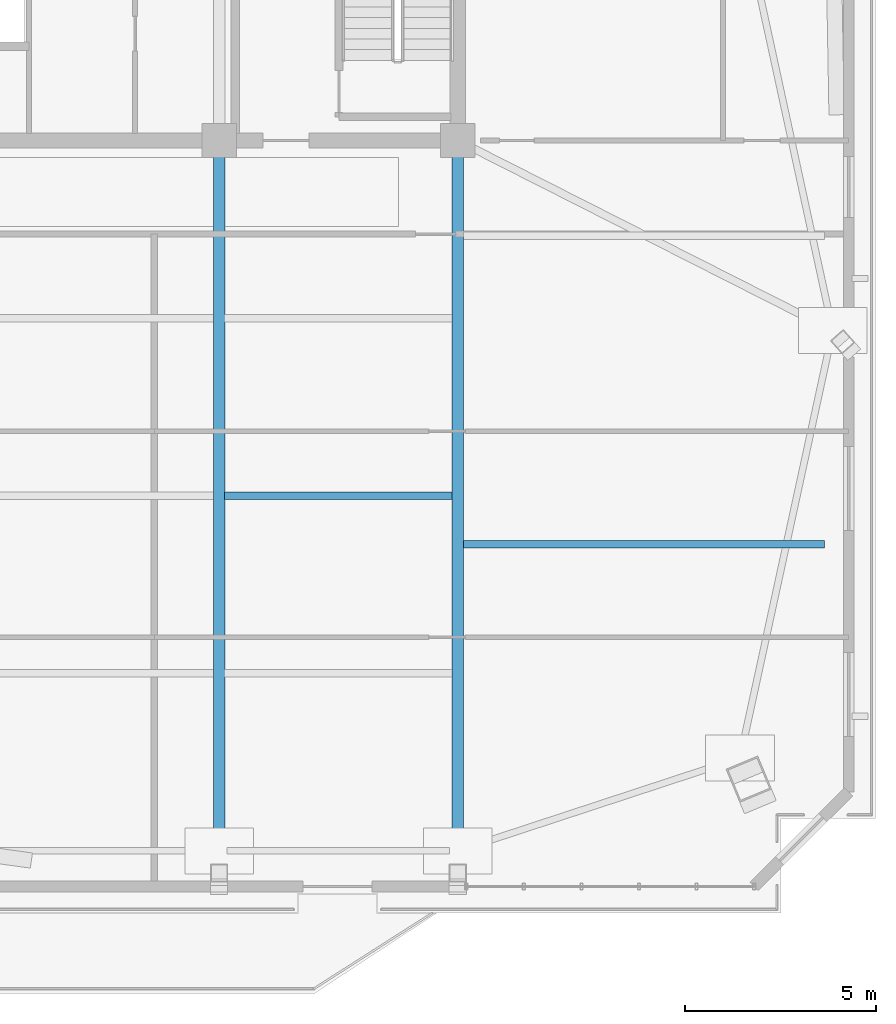
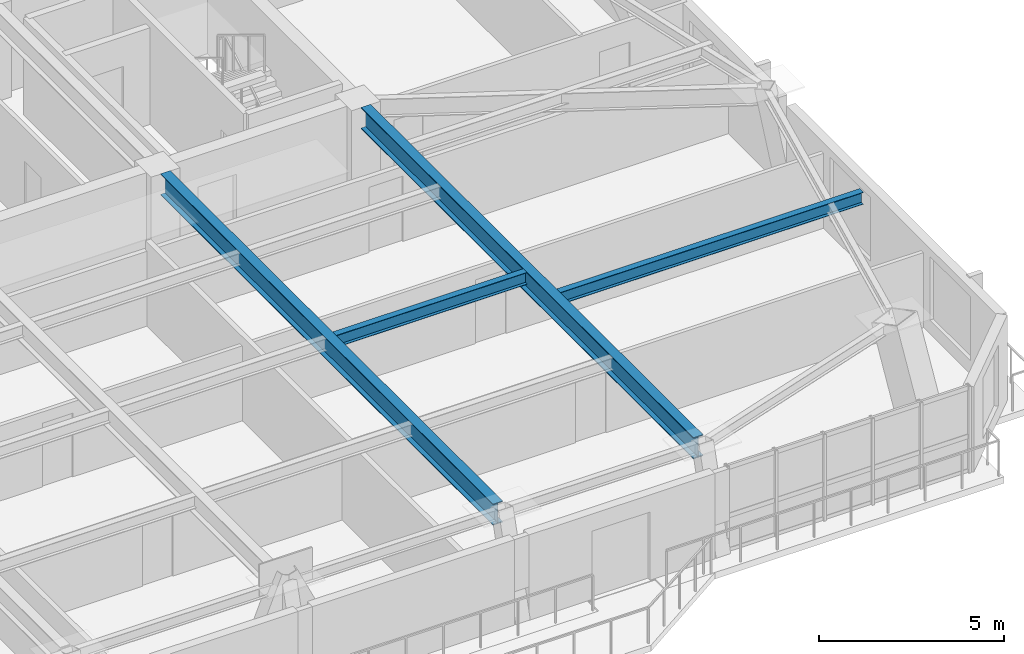
# One storey, part 5 of 15: 4 beams.
"""IFC4 building model written with IfcOpenShell, lengths in metres."""

from ifc_helpers import new_model, si_unit, direction, frame, origin, origin_2d, place, context, subcontext, project, spatial, i_section, extrude, source, transform, mapped, material, material_profile, profile_set, type_object, element, save


model = new_model("IFC4")

# Units and contexts
model_context = context("Model", 3, precision=1e-05, world=origin(), true_north=direction((0.0, 1.0)))
body_context = subcontext(model_context, "Body", "Model", "MODEL_VIEW")
ifc_project = project(units=[si_unit("LENGTHUNIT", "METRE"), si_unit("AREAUNIT", "SQUARE_METRE"), si_unit("VOLUMEUNIT", "CUBIC_METRE"), si_unit("PLANEANGLEUNIT", "RADIAN"), si_unit("MASSUNIT", "GRAM", prefix="KILO")], contexts=[model_context])

# Site, building, storey
site_placement = place(None, origin())
site = spatial("IfcSite", under=ifc_project, at=site_placement, CompositionType="ELEMENT")
building_placement = place(site_placement, origin())
building = spatial("IfcBuilding", under=site, at=building_placement, Name="Giltprow Tower", CompositionType="ELEMENT")
storey_placement = place(building_placement, frame((0.0, 0.0, 290.39990234375)))
storey = spatial("IfcBuildingStorey", under=building, at=storey_placement, Name="L74", CompositionType="ELEMENT", Elevation=290.39990234375)

# Beams
ifc_material = material(Name="Structural steel Q355B", Category="steel")
ifc_material_profile_1 = material_profile(ifc_material, i_section(OverallWidth=0.199951171875, OverallDepth=0.39990234375, WebThickness=0.008056640625, FlangeThickness=0.012939453125, at=origin_2d()), Name="HN 400x200x8x13")
ifc_profile_set_1 = profile_set([ifc_material_profile_1], Name="Structural steel Q355B")
beam_type_1 = type_object("IfcBeamType", Name="BM-JOIST-HN400", PredefinedType="JOIST", material=ifc_profile_set_1)
shared_shape_1 = source(origin(), body_context, "Body", "SweptSolid", [
    extrude(i_section(OverallWidth=0.199951171875, OverallDepth=0.39990234375, WebThickness=0.008056640625, FlangeThickness=0.012939453125, at=origin_2d()), origin(), (0.0, 0.0, 1.0), 5.9599609375),
])
beam_1_placement = place(storey_placement, frame((44.445068359375, 28.14599609375, 2.985107421875), z_axis=(1.0, 0.0, 0.0), x_axis=(0.0, 1.0, 0.0)))
element("IfcBeam", 1, at=beam_1_placement, inside=storey, type_object=beam_type_1, Name="L74 Composite Floor Joist 2-4", PredefinedType="JOIST", context=body_context, shape_type="MappedRepresentation", body=[
    mapped(shared_shape_1, transform((0.0, 0.0, 0.0), x_axis=(1.0, 0.0, 0.0), y_axis=(0.0, 1.0, 0.0), z_axis=(0.0, 0.0, 1.0), scale=1.0)),
])
ifc_material_profile_2 = material_profile(ifc_material, i_section(OverallWidth=0.300048828125, OverallDepth=0.699951171875, WebThickness=0.012939453125, FlangeThickness=0.02392578125, at=origin_2d()), Name="HN 700x300x13x24")
ifc_profile_set_2 = profile_set([ifc_material_profile_2], Name="Structural steel Q355B")
beam_type_2 = type_object("IfcBeamType", Name="BM-GIRD-HN700", PredefinedType="BEAM", material=ifc_profile_set_2)
shared_shape_2 = source(origin(), body_context, "Body", "SweptSolid", [
    extrude(i_section(OverallWidth=0.300048828125, OverallDepth=0.699951171875, WebThickness=0.012939453125, FlangeThickness=0.02392578125, at=origin_2d()), origin(), (0.0, 0.0, 1.0), 17.9638671875),
])
for number, where, z_axis, x_axis, name in (
    (2, (44.300048828125, 19.051025390625, 2.835205078125), (0.0, 1.0, 0.0), (-1.0, 0.0, 0.0), "L74 Primary Lease Girder S3"),
    (3, (50.550048828125, 19.051025390625, 2.835205078125), (0.0, 1.0, 0.0), (-1.0, 0.0, 0.0), "L74 Primary Lease Girder S4"),
):
    element("IfcBeam", number, at=place(storey_placement, frame(where, z_axis=z_axis, x_axis=x_axis)), inside=storey, type_object=beam_type_2, Name=name, PredefinedType="BEAM", context=body_context, shape_type="MappedRepresentation", body=[
        mapped(shared_shape_2, transform((0.0, 0.0, 0.0), x_axis=(1.0, 0.0, 0.0), y_axis=(0.0, 1.0, 0.0), z_axis=(0.0, 0.0, 1.0), scale=1.0)),
    ])
shared_shape_3 = source(origin(), body_context, "Body", "SweptSolid", [
    extrude(i_section(OverallWidth=0.199951171875, OverallDepth=0.39990234375, WebThickness=0.008056640625, FlangeThickness=0.012939453125, at=origin_2d()), origin(), (0.0, 0.0, 1.0), 9.4609375),
])
beam_2_placement = place(storey_placement, frame((50.695068359375, 26.87109375, 2.985107421875), z_axis=(1.0, 0.0, 0.0), x_axis=(0.0, 1.0, 0.0)))
element("IfcBeam", 4, at=beam_2_placement, inside=storey, type_object=beam_type_1, Name="L74 East Wing Floor Joist 1", PredefinedType="JOIST", context=body_context, shape_type="MappedRepresentation", body=[
    mapped(shared_shape_3, transform((0.0, 0.0, 0.0), x_axis=(1.0, 0.0, 0.0), y_axis=(0.0, 1.0, 0.0), z_axis=(0.0, 0.0, 1.0), scale=1.0)),
])

save(model, "model.ifc")
